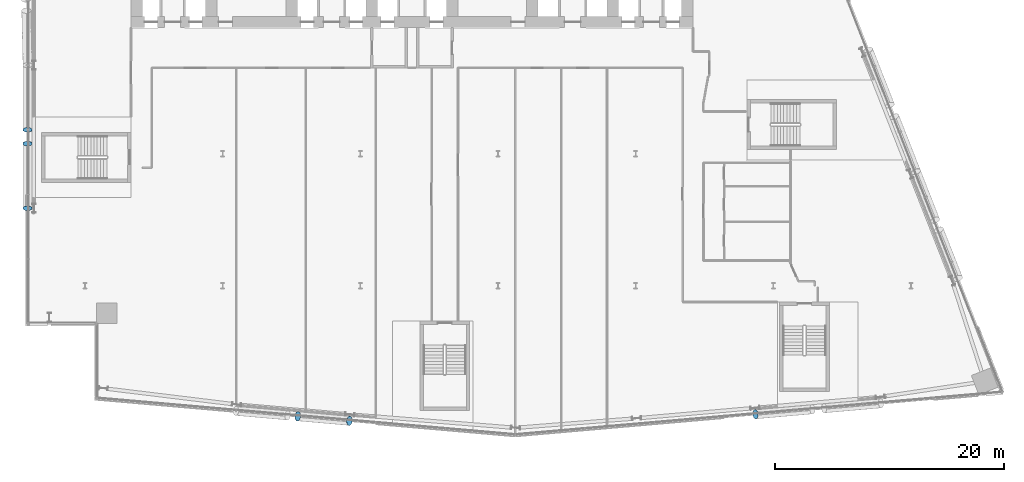
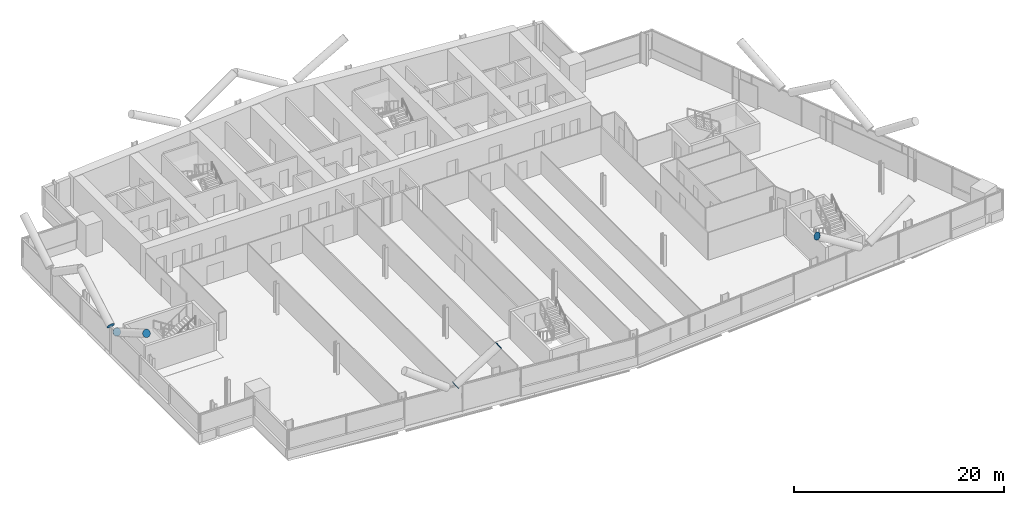
# One storey, part 20 of 26: 6 discrete accessories.
"""IFC4 building model written with IfcOpenShell, lengths in metres."""

from ifc_helpers import new_model, si_unit, direction, frame, origin, origin_2d, place, context, subcontext, project, spatial, circle, extrude, material, material_profile, profile_set, type_object, element, save


model = new_model("IFC4")

# Units and contexts
model_context = context("Model", 3, precision=1e-05, world=origin(), true_north=direction((0.0, 1.0)))
body_context = subcontext(model_context, "Body", "Model", "MODEL_VIEW")
ifc_project = project(units=[si_unit("LENGTHUNIT", "METRE"), si_unit("AREAUNIT", "SQUARE_METRE"), si_unit("VOLUMEUNIT", "CUBIC_METRE"), si_unit("PLANEANGLEUNIT", "RADIAN"), si_unit("MASSUNIT", "GRAM", prefix="KILO")], contexts=[model_context])

# Site, building, storey
site_placement = place(None, origin())
site = spatial("IfcSite", under=ifc_project, at=site_placement, CompositionType="ELEMENT")
building_placement = place(site_placement, origin())
building = spatial("IfcBuilding", under=site, at=building_placement, Name="Wharfspan Tower", CompositionType="ELEMENT")
storey_placement = place(building_placement, frame((0.0, 0.0, 125.5)))
storey = spatial("IfcBuildingStorey", under=building, at=storey_placement, Name="L29", CompositionType="ELEMENT", Elevation=125.5)

# Discrete accessories
ifc_material = material(Name="Steel S460NH", Category="steel")
ifc_material_profile = material_profile(ifc_material, circle(Radius=0.406494, at=origin_2d()))
ifc_profile_set = profile_set([ifc_material_profile], Name="Steel S460NH")
discrete_accessory_type = type_object("IfcDiscreteAccessoryType", Name="End plate CHS 813x40", PredefinedType="BRACKET", material=ifc_profile_set)
for number, where, z_axis, x_axis, name in (
    (1, (30.543457, 0.125244, 3.220947), (0.806559, -0.073324, 0.586588), (0.090536, 0.99589, 0.0), "End plate CHS 813x40"),
    (2, (35.040771, -0.268311, 6.5), (0.806559, -0.073324, 0.586588), (0.090536, 0.99589, 0.0), "End plate CHS 813x40"),
    (3, (70.452393, 0.299805, 6.5), (-0.837276, -0.073877, 0.541767), (0.087893, -0.996132, -1e-06), "End plate CHS 813x40"),
):
    element("IfcDiscreteAccessory", number, at=place(storey_placement, frame(where, z_axis=z_axis, x_axis=x_axis)), inside=storey, type_object=discrete_accessory_type, Name=name, PredefinedType="BRACKET", context=body_context, shape_type="SweptSolid", body=[
        extrude(circle(Radius=0.406494, at=origin_2d()), origin(), (0.0, 0.0, 1.0), 0.01001),
    ])
for number, where, z_axis, x_axis, name in (
    (4, (6.985107, 23.902588, 3.245117), (0.0, -0.868243, 0.496139), (1.0, 0.0, 0.0), "End plate CHS 813x40"),
    (5, (6.985107, 18.266602, 6.5), (0.0, -0.868243, 0.496139), (1.0, 0.0, 0.0), "End plate CHS 813x40"),
    (6, (6.985107, 25.097412, 3.245117), (0.0, 0.868243, 0.496139), (-1.0, 0.0, 0.0), "End plate CHS 813x40"),
):
    element("IfcDiscreteAccessory", number, at=place(storey_placement, frame(where, z_axis=z_axis, x_axis=x_axis)), inside=storey, type_object=discrete_accessory_type, Name=name, PredefinedType="BRACKET", context=body_context, shape_type="SweptSolid", body=[
        extrude(circle(Radius=0.406494, at=origin_2d()), origin(), (0.0, 0.0, 1.0), 0.009766),
    ])

save(model, "model.ifc")
